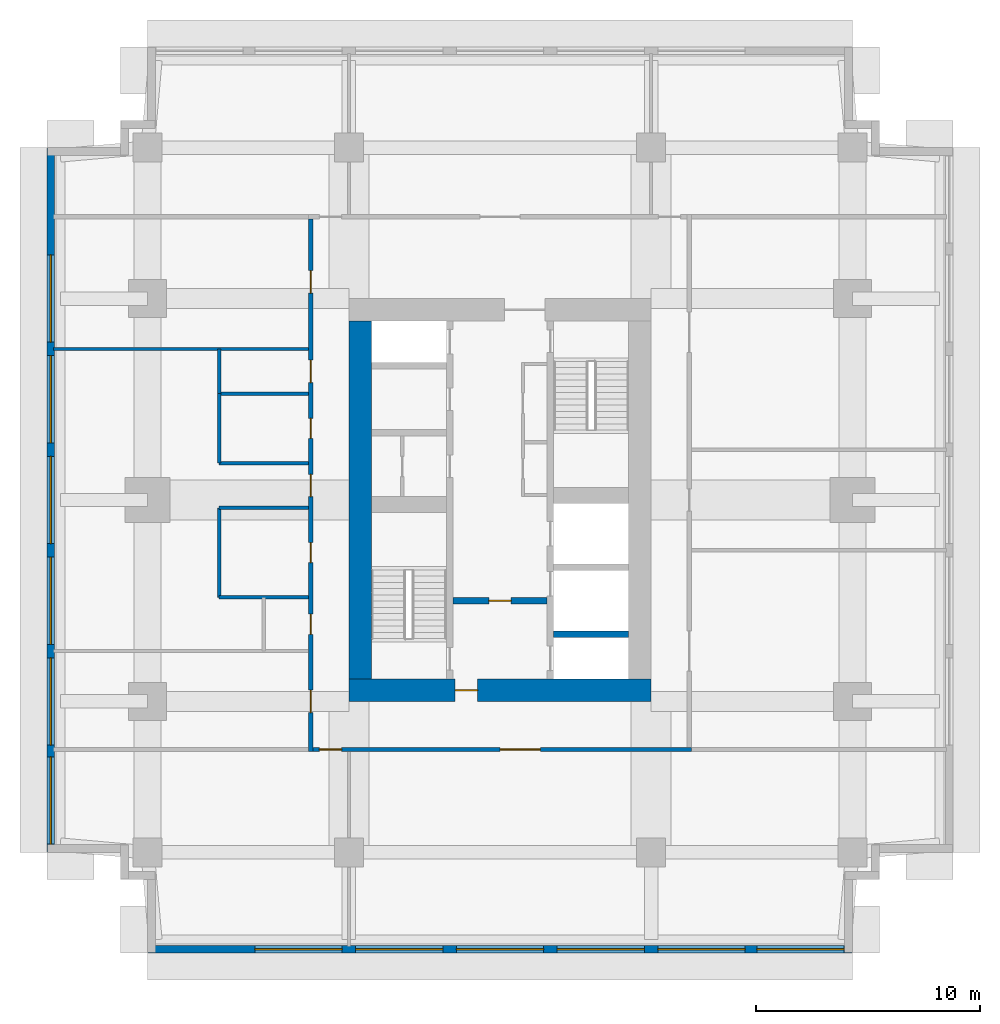
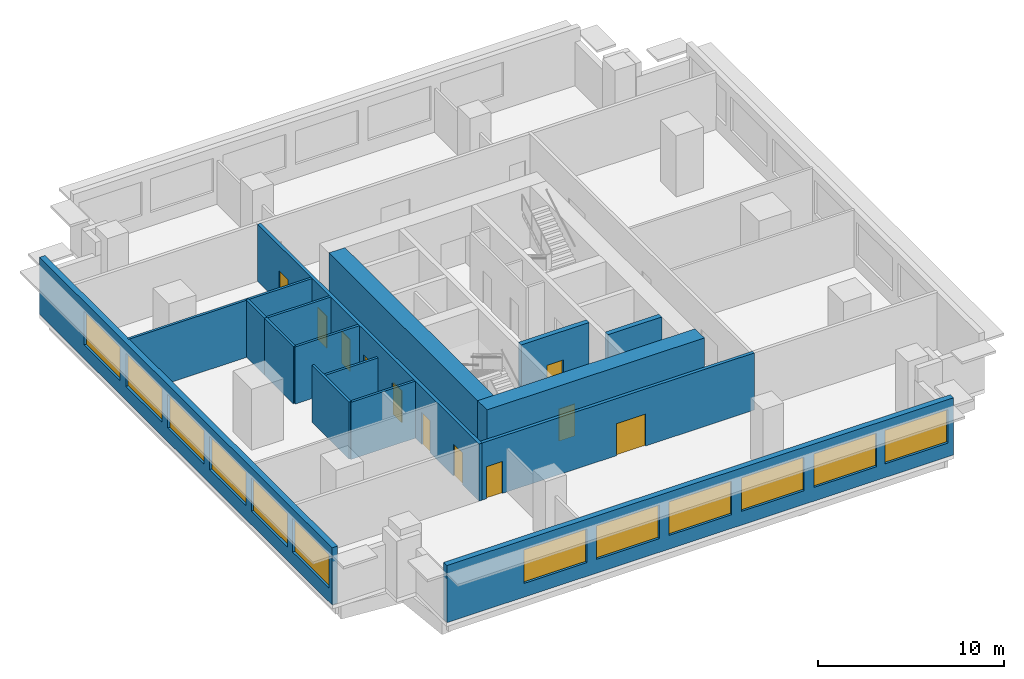
# One storey, part 2 of 5: 16 walls, 12 windows, 11 doors, 23 openings.
"""IFC4 building model written with IfcOpenShell, lengths in metres."""

import ifcopenshell
import ifcopenshell.guid

model = None  # the IFC model being written
_history = None  # IfcOwnerHistory: only IFC2X3 demands one
_inside = {}  # id of a spatial element -> (the spatial element, [elements in it])
_under = {}  # id of a project, library or spatial element -> (it, [spatial elements below it])
_declared = {}  # id of a project -> (the project, [libraries it declares])
_typed = {}  # id of a type object -> (the type object, [elements of that type])
_made_of = {}  # id of a material, layer set ... -> (it, [elements and type objects made of it])


def new_model(schema):
    """Start an empty IFC model of exactly this schema.

    Asked for "IFC4X3", IfcOpenShell would pick the latest addendum, in which some entities
    have other attributes; the version numbers below select the first issue.
    IFC2X3 requires an IfcOwnerHistory on every rooted entity: one is made here for all.
    """
    global model, _history
    if schema == "IFC4X3":
        model = ifcopenshell.file(schema_version=(4, 3, 0, 0))
    else:
        model = ifcopenshell.file(schema=schema)
    _inside.clear()
    _under.clear()
    _declared.clear()
    _typed.clear()
    _made_of.clear()
    _history = None
    if model.schema == "IFC2X3":
        org = make("IfcOrganization", Name="unknown")
        user = make(
            "IfcPersonAndOrganization",
            ThePerson=make("IfcPerson", FamilyName="unknown"),
            TheOrganization=org,
        )
        app = make(
            "IfcApplication",
            ApplicationDeveloper=org,
            Version="unknown",
            ApplicationFullName="unknown",
            ApplicationIdentifier="unknown",
        )
        _history = make(
            "IfcOwnerHistory",
            OwningUser=user,
            OwningApplication=app,
            ChangeAction="ADDED",
            CreationDate=0,
        )
    return model


def make(cls, **values):
    """One entity of the class cls with the attributes given. An attribute that is None is left unset."""
    return model.create_entity(
        cls, **{name: value for name, value in values.items() if value is not None}
    )


def rooted(cls, **values):
    """An entity with a GlobalId (a new one), such as an element, a storey or a relation."""
    return make(cls, GlobalId=ifcopenshell.guid.new(), OwnerHistory=_history, **values)


def si_unit(unit_type, name, prefix=None):
    """IfcSIUnit, for example si_unit("LENGTHUNIT", "METRE", prefix="MILLI")."""
    return make("IfcSIUnit", UnitType=unit_type, Prefix=prefix, Name=name)


def assignment(units):
    """IfcUnitAssignment: the units of a project."""
    return None if units is None else make("IfcUnitAssignment", Units=units)


def point(xyz):
    """IfcCartesianPoint."""
    return None if xyz is None else make("IfcCartesianPoint", Coordinates=xyz)


def direction(xyz):
    """IfcDirection."""
    return None if xyz is None else make("IfcDirection", DirectionRatios=xyz)


def frame(location, z_axis=None, x_axis=None):
    """IfcAxis2Placement3D, a coordinate frame: its origin and axes. An axis left out is left unset."""
    return make(
        "IfcAxis2Placement3D",
        Location=point(location),
        Axis=direction(z_axis),
        RefDirection=direction(x_axis),
    )


def frame_2d(location, x_axis=None):
    """IfcAxis2Placement2D, a coordinate frame in the plane: its origin and x axis."""
    return make(
        "IfcAxis2Placement2D", Location=point(location), RefDirection=direction(x_axis)
    )


def origin():
    """The frame at (0, 0, 0) with its axes left unset."""
    return frame((0.0, 0.0, 0.0))


def place(relative_to, where):
    """IfcLocalPlacement: puts the frame where relative to a parent placement (None: the world)."""
    return make(
        "IfcLocalPlacement", PlacementRelTo=relative_to, RelativePlacement=where
    )


def context(
    kind, dimensions, precision=None, world=None, true_north=None, identifier=None
):
    """IfcGeometricRepresentationContext, for example the 3D "Model" context."""
    return make(
        "IfcGeometricRepresentationContext",
        ContextIdentifier=identifier,
        ContextType=kind,
        CoordinateSpaceDimension=dimensions,
        Precision=precision,
        WorldCoordinateSystem=world,
        TrueNorth=true_north,
    )


def subcontext(parent, identifier, kind, view, scale=None):
    """IfcGeometricRepresentationSubContext, for example "Body" below "Model"."""
    return make(
        "IfcGeometricRepresentationSubContext",
        ContextIdentifier=identifier,
        ContextType=kind,
        ParentContext=parent,
        TargetScale=scale,
        TargetView=view,
    )


def project(units=None, contexts=None):
    """IfcProject with its units and contexts."""
    return rooted(
        "IfcProject",
        Name="project",
        RepresentationContexts=contexts,
        UnitsInContext=assignment(units),
    )


def spatial(cls, under=None, at=None, **own):
    """A site, building, storey or space (cls), placed at a placement, below another one or the project."""
    s = rooted(cls, ObjectPlacement=at, **own)
    if under is not None:
        _under.setdefault(under.id(), (under, []))[1].append(s)
    return s


def profile(cls, at=None, kind="AREA", **sizes):
    """A parametric profile (cls). Its sizes go by their IFC names, for example OverallWidth=200.0."""
    return make(cls, ProfileType=kind, Position=at, **sizes)


def rectangle(**sizes):
    """IfcRectangleProfileDef."""
    return profile("IfcRectangleProfileDef", **sizes)


def extrude(swept, where, along, depth):
    """IfcExtrudedAreaSolid: the profile swept, set in the frame where, extruded along a direction by depth."""
    return make(
        "IfcExtrudedAreaSolid",
        SweptArea=swept,
        Position=where,
        ExtrudedDirection=direction(along),
        Depth=depth,
    )


def shape(context_of_items, identifier, shape_type, items):
    """IfcShapeRepresentation: the items that make up one representation, for example the "Body"."""
    return make(
        "IfcShapeRepresentation",
        ContextOfItems=context_of_items,
        RepresentationIdentifier=identifier,
        RepresentationType=shape_type,
        Items=items,
    )


def material(Name=None, Category=None):
    """IfcMaterial."""
    return make("IfcMaterial", Name=Name, Category=Category)


def layer(
    of_material, thickness, ventilated=None, Name=None, Category=None, Priority=None
):
    """IfcMaterialLayer: one layer of a wall or slab, of a material (None: an air gap)."""
    return make(
        "IfcMaterialLayer",
        Material=of_material,
        LayerThickness=thickness,
        IsVentilated=ventilated,
        Name=Name,
        Category=Category,
        Priority=Priority,
    )


def layer_set(layers, Name=None):
    """IfcMaterialLayerSet."""
    return make("IfcMaterialLayerSet", MaterialLayers=layers, LayerSetName=Name)


def made_of(thing, what):
    """Note that an element or type object is made of a material, layer set ...; save() writes the relation."""
    if what is not None:
        _made_of.setdefault(what.id(), (what, []))[1].append(thing)
    return thing


def type_object(cls, material=None, **own):
    """A type object (cls), such as IfcWallType, which elements share."""
    return made_of(rooted(cls, **own), material)


def element(
    cls,
    number,
    at=None,
    inside=None,
    cuts=None,
    type_object=None,
    material=None,
    context=None,
    identifier="Body",
    shape_type=None,
    held_by="IfcProductDefinitionShape",
    body=None,
    shapes=None,
    **own,
):
    """One element of the class cls, such as IfcWall. Its Tag is "e" and its number.

    at: its placement. inside: the storey or other place that contains it. cuts: it is an
    opening in that element (IfcRelVoidsElement). A single representation is given by context,
    identifier, shape_type and body (its items); several are given by shapes. held_by: the class
    of the entity that holds the representations. save() writes the other relations.
    """
    e = rooted(cls, Tag="e%d" % number, ObjectPlacement=at, **own)
    if body is not None:
        shapes = [shape(context, identifier, shape_type, body)]
    if shapes is not None:
        e.Representation = make(held_by, Representations=shapes)
    if inside is not None:
        _inside.setdefault(inside.id(), (inside, []))[1].append(e)
    if cuts is not None:
        rooted(
            "IfcRelVoidsElement", RelatingBuildingElement=cuts, RelatedOpeningElement=e
        )
    if type_object is not None:
        _typed.setdefault(type_object.id(), (type_object, []))[1].append(e)
    return made_of(e, material)


def fill(opening, filler):
    """IfcRelFillsElement: the door or window that sits in an opening."""
    return rooted(
        "IfcRelFillsElement",
        RelatingOpeningElement=opening,
        RelatedBuildingElement=filler,
    )


def aggregate(whole, parts):
    """IfcRelAggregates: a whole, such as a stair, and the parts it consists of."""
    return rooted("IfcRelAggregates", RelatingObject=whole, RelatedObjects=parts)


def save(model, path):
    """Write the relations noted so far, then the file.

    IfcRelAggregates (storeys below a building ...), IfcRelContainedInSpatialStructure (elements
    in a storey), IfcRelDefinesByType, IfcRelAssociatesMaterial and IfcRelDeclares: one each for
    every whole, place, type object, material and project.
    """
    for whole, parts in _under.values():
        aggregate(whole, parts)
    for where, things in _inside.values():
        rooted(
            "IfcRelContainedInSpatialStructure",
            RelatedElements=things,
            RelatingStructure=where,
        )
    for kind, things in _typed.values():
        rooted("IfcRelDefinesByType", RelatedObjects=things, RelatingType=kind)
    for what, things in _made_of.values():
        rooted("IfcRelAssociatesMaterial", RelatedObjects=things, RelatingMaterial=what)
    for by, libraries in _declared.values():
        rooted("IfcRelDeclares", RelatingContext=by, RelatedDefinitions=libraries)
    model.write(path)


model = new_model("IFC4")

# Units and contexts
model_context = context("Model", 3, precision=1e-05, world=origin(), true_north=direction((0.0, 1.0)))
body_context = subcontext(model_context, "Body", "Model", "MODEL_VIEW")
ifc_project = project(units=[si_unit("LENGTHUNIT", "METRE"), si_unit("AREAUNIT", "SQUARE_METRE"), si_unit("VOLUMEUNIT", "CUBIC_METRE"), si_unit("PLANEANGLEUNIT", "RADIAN"), si_unit("MASSUNIT", "GRAM", prefix="KILO")], contexts=[model_context])

# Site, building, storey
site_placement = place(None, origin())
site = spatial("IfcSite", under=ifc_project, at=site_placement, CompositionType="ELEMENT")
building_placement = place(site_placement, origin())
building = spatial("IfcBuilding", under=site, at=building_placement, Name="Namib Vertical Campus", CompositionType="ELEMENT")
storey_placement = place(building_placement, frame((0.0, 0.0, 277.0)))
storey = spatial("IfcBuildingStorey", under=building, at=storey_placement, Name="L65", CompositionType="ELEMENT", Elevation=277.0)

# Wall, opening, door
ifc_material_1 = material(Name="Concrete C60/75", Category="concrete")
ifc_layer_1 = layer(ifc_material_1, 0.300048828125)
ifc_layer_set_1 = layer_set([ifc_layer_1], Name="Concrete C60/75")
wall_type_1 = type_object("IfcWallType", Name="Core inner wall 300", PredefinedType="SHEAR", material=ifc_layer_set_1)
wall_1_placement = place(storey_placement, frame((18.14990234375, 15.75, 0.0), z_axis=(0.0, 0.0, 1.0), x_axis=(1.0, 0.0, 0.0)))
wall_1 = element("IfcWall", 1, at=wall_1_placement, inside=storey, type_object=wall_type_1, Name="Core inner wall A L65 W4", PredefinedType="SHEAR", context=body_context, shape_type="SweptSolid", body=[
    extrude(rectangle(XDim=4.2001953125, YDim=0.300048828125, at=frame_2d((2.10009765625, 0.0))), origin(), (0.0, 0.0, 1.0), 4.0),
])
opening_1_placement = place(wall_1_placement, frame((1.60009765625, 0.0, 0.0)))
opening_1 = element("IfcOpeningElement", 2, at=opening_1_placement, cuts=wall_1, Name="Opening FD5", PredefinedType="OPENING", context=body_context, shape_type="SweptSolid", body=[
    extrude(rectangle(XDim=1.0, YDim=2.10009765625, at=frame_2d((0.5, 1.050048828125))), frame((0.0, 0.159912109375, 0.0), z_axis=(0.0, -1.0, 0.0), x_axis=(1.0, 0.0, 0.0)), (0.0, 0.0, 1.0), 0.320068359375),
])
ifc_material_2 = material(Name="Steel fire door", Category="steel")
door_type_1 = type_object("IfcDoorType", Name="Fire door 1000x2100 120 min", OperationType="SINGLE_SWING_RIGHT", PredefinedType="DOOR", material=ifc_material_2)
door_1_placement = place(opening_1_placement, frame((1.0, 0.0, 0.0), z_axis=(0.0, 0.0, 1.0), x_axis=(-1.0, 0.0, 0.0)))
door_1 = element("IfcDoor", 3, at=door_1_placement, inside=storey, type_object=door_type_1, Name="Lobby door FD5 A L65", OperationType="SINGLE_SWING_RIGHT", OverallHeight=2.10009765625, OverallWidth=1.0, PredefinedType="DOOR", context=body_context, shape_type="SweptSolid", body=[
    extrude(rectangle(XDim=1.0, YDim=2.10009765625, at=frame_2d((0.5, 1.050048828125))), frame((0.0, 0.02490234375, 0.0), z_axis=(0.0, -1.0, 0.0), x_axis=(1.0, 0.0, 0.0)), (0.0, 0.0, 1.0), 0.050048828125),
])
fill(opening_1, door_1)

# Wall
wall_2_placement = place(storey_placement, frame((22.64990234375, 14.25, 0.0), z_axis=(0.0, 0.0, 1.0), x_axis=(1.0, 0.0, 0.0)))
element("IfcWall", 4, at=wall_2_placement, inside=storey, type_object=wall_type_1, Name="Core inner wall A L65 W5", PredefinedType="SHEAR", context=body_context, shape_type="SweptSolid", body=[
    extrude(rectangle(XDim=3.35009765625, YDim=0.300048828125, at=frame_2d((1.675048828125, 0.0))), origin(), (0.0, 0.0, 1.0), 4.0),
])

# Wall, opening, door
ifc_material_3 = material(Name="Concrete C60/75", Category="concrete")
ifc_layer_2 = layer(ifc_material_3, 1.0)
ifc_layer_set_2 = layer_set([ifc_layer_2], Name="Concrete C60/75")
wall_type_2 = type_object("IfcWallType", Name="Core wall 1000", PredefinedType="SHEAR", material=ifc_layer_set_2)
wall_3_placement = place(storey_placement, frame((13.5, 11.75, 0.0), z_axis=(0.0, 0.0, 1.0), x_axis=(1.0, 0.0, 0.0)))
wall_3 = element("IfcWall", 5, at=wall_3_placement, inside=storey, type_object=wall_type_2, Name="Core wall A L65 1", PredefinedType="SHEAR", context=body_context, shape_type="SweptSolid", body=[
    extrude(rectangle(XDim=13.5, YDim=1.0, at=frame_2d((6.75, 0.0))), origin(), (0.0, 0.0, 1.0), 4.0),
])
opening_2_placement = place(wall_3_placement, frame((4.75, 0.0, 0.0)))
opening_2 = element("IfcOpeningElement", 6, at=opening_2_placement, cuts=wall_3, Name="Opening FD5", PredefinedType="OPENING", context=body_context, shape_type="SweptSolid", body=[
    extrude(rectangle(XDim=1.0, YDim=2.10009765625, at=frame_2d((0.5, 1.050048828125))), frame((0.0, 0.510009765625, 0.0), z_axis=(0.0, -1.0, 0.0), x_axis=(1.0, 0.0, 0.0)), (0.0, 0.0, 1.0), 1.02001953125),
])
door_2_placement = place(opening_2_placement, origin())
door_2 = element("IfcDoor", 7, at=door_2_placement, inside=storey, type_object=door_type_1, Name="Firefighting lobby door FD5 A L65", OperationType="SINGLE_SWING_LEFT", OverallHeight=2.10009765625, OverallWidth=1.0, PredefinedType="DOOR", context=body_context, shape_type="SweptSolid", body=[
    extrude(rectangle(XDim=1.0, YDim=2.10009765625, at=frame_2d((0.5, 1.050048828125))), frame((0.0, 0.02490234375, 0.0), z_axis=(0.0, -1.0, 0.0), x_axis=(1.0, 0.0, 0.0)), (0.0, 0.0, 1.0), 0.050048828125),
])
fill(opening_2, door_2)

# Wall
wall_4_placement = place(storey_placement, frame((14.0, 28.25, 0.0), z_axis=(0.0, 0.0, 1.0), x_axis=(0.0, -1.0, 0.0)))
element("IfcWall", 8, at=wall_4_placement, inside=storey, type_object=wall_type_2, Name="Core wall A L65 4", PredefinedType="SHEAR", context=body_context, shape_type="SweptSolid", body=[
    extrude(rectangle(XDim=16.0, YDim=1.0, at=frame_2d((8.0, 0.0))), origin(), (0.0, 0.0, 1.0), 4.0),
])

# Wall, openings, doors
ifc_material_4 = material(Name="Concrete masonry", Category="masonry")
ifc_layer_3 = layer(ifc_material_4, 0.199951171875)
ifc_layer_set_3 = layer_set([ifc_layer_3], Name="Corridor wall 200")
wall_type_3 = type_object("IfcWallType", Name="Corridor wall 200", PredefinedType="SOLIDWALL", material=ifc_layer_set_3)
wall_5_placement = place(storey_placement, frame((11.89990234375, 9.10009765625, 0.0), z_axis=(0.0, 0.0, 1.0), x_axis=(1.0, 0.0, 0.0)))
wall_5 = element("IfcWall", 9, at=wall_5_placement, inside=storey, type_object=wall_type_3, Name="Corridor wall A L65 CS", PredefinedType="SOLIDWALL", context=body_context, shape_type="SweptSolid", body=[
    extrude(rectangle(XDim=16.900146484375, YDim=0.199951171875, at=frame_2d((8.4501953125, 0.0))), origin(), (0.0, 0.0, 1.0), 3.75),
])
opening_3_placement = place(wall_5_placement, frame((0.27490234375, 0.0, 0.0)))
opening_3 = element("IfcOpeningElement", 10, at=opening_3_placement, cuts=wall_5, Name="Opening CD1", PredefinedType="OPENING", context=body_context, shape_type="SweptSolid", body=[
    extrude(rectangle(XDim=1.0, YDim=2.10009765625, at=frame_2d((0.5, 1.050048828125))), frame((0.0, 0.10986328125, 0.0), z_axis=(0.0, -1.0, 0.0), x_axis=(1.0, 0.0, 0.0)), (0.0, 0.0, 1.0), 0.219970703125),
])
opening_4_placement = place(wall_5_placement, frame((8.35009765625, 0.0, 0.0)))
opening_4 = element("IfcOpeningElement", 11, at=opening_4_placement, cuts=wall_5, Name="Opening CD2", PredefinedType="OPENING", context=body_context, shape_type="SweptSolid", body=[
    extrude(rectangle(XDim=1.800048828125, YDim=2.10009765625, at=frame_2d((0.89990234375, 1.050048828125))), frame((0.0, 0.10986328125, 0.0), z_axis=(0.0, -1.0, 0.0), x_axis=(1.0, 0.0, 0.0)), (0.0, 0.0, 1.0), 0.219970703125),
])
ifc_material_5 = material(Name="Timber fire door leaf", Category="wood")
door_type_2 = type_object("IfcDoorType", Name="Corridor door 1000x2100 20 min", OperationType="SINGLE_SWING_LEFT", PredefinedType="DOOR", material=ifc_material_5)
door_3_placement = place(opening_3_placement, frame((1.0, 0.0, 0.0), z_axis=(0.0, 0.0, 1.0), x_axis=(-1.0, 0.0, 0.0)))
door_3 = element("IfcDoor", 12, at=door_3_placement, inside=storey, type_object=door_type_2, Name="Door CD1 A65-01", OperationType="SINGLE_SWING_LEFT", OverallHeight=2.10009765625, OverallWidth=1.0, PredefinedType="DOOR", context=body_context, shape_type="SweptSolid", body=[
    extrude(rectangle(XDim=1.0, YDim=2.10009765625, at=frame_2d((0.5, 1.050048828125))), frame((0.0, 0.02490234375, 0.0), z_axis=(0.0, -1.0, 0.0), x_axis=(1.0, 0.0, 0.0)), (0.0, 0.0, 1.0), 0.050048828125),
])
fill(opening_3, door_3)
ifc_material_6 = material(Name="Timber fire door leaf", Category="wood")
door_type_3 = type_object("IfcDoorType", Name="Corridor door double 1800x2100 20 min", OperationType="DOUBLE_DOOR_SINGLE_SWING", PredefinedType="DOOR", material=ifc_material_6)
door_4_placement = place(opening_4_placement, frame((1.800048828125, 0.0, 0.0), z_axis=(0.0, 0.0, 1.0), x_axis=(-1.0, 0.0, 0.0)))
door_4 = element("IfcDoor", 13, at=door_4_placement, inside=storey, type_object=door_type_3, Name="Door CD2 A65-02", OperationType="DOUBLE_DOOR_SINGLE_SWING", OverallHeight=2.10009765625, OverallWidth=1.800048828125, PredefinedType="DOOR", context=body_context, shape_type="SweptSolid", body=[
    extrude(rectangle(XDim=1.800048828125, YDim=2.10009765625, at=frame_2d((0.89990234375, 1.050048828125))), frame((0.0, 0.02490234375, 0.0), z_axis=(0.0, -1.0, 0.0), x_axis=(1.0, 0.0, 0.0)), (0.0, 0.0, 1.0), 0.050048828125),
])
fill(opening_4, door_4)

wall_6_placement = place(storey_placement, frame((11.800048828125, 32.800048828125, 0.0), z_axis=(0.0, 0.0, 1.0), x_axis=(0.0, -1.0, 0.0)))
wall_6 = element("IfcWall", 14, at=wall_6_placement, inside=storey, type_object=wall_type_3, Name="Corridor wall A L65 CW", PredefinedType="SOLIDWALL", context=body_context, shape_type="SweptSolid", body=[
    extrude(rectangle(XDim=23.800048828125, YDim=0.199951171875, at=frame_2d((11.89990234375, 0.0))), origin(), (0.0, 0.0, 1.0), 3.75),
])
opening_5_placement = place(wall_6_placement, frame((21.050048828125, 0.0, 0.0)))
opening_5 = element("IfcOpeningElement", 15, at=opening_5_placement, cuts=wall_6, Name="Opening CD1", PredefinedType="OPENING", context=body_context, shape_type="SweptSolid", body=[
    extrude(rectangle(XDim=1.0, YDim=2.10009765625, at=frame_2d((0.5, 1.050048828125))), frame((0.0, 0.10986328125, 0.0), z_axis=(0.0, -1.0, 0.0), x_axis=(1.0, 0.0, 0.0)), (0.0, 0.0, 1.0), 0.219970703125),
])
opening_6_placement = place(wall_6_placement, frame((17.64990234375, 0.0, 0.0)))
opening_6 = element("IfcOpeningElement", 16, at=opening_6_placement, cuts=wall_6, Name="Opening CD3", PredefinedType="OPENING", context=body_context, shape_type="SweptSolid", body=[
    extrude(rectangle(XDim=0.89990234375, YDim=2.10009765625, at=frame_2d((0.449951171875, 1.050048828125))), frame((0.0, 0.10986328125, 0.0), z_axis=(0.0, -1.0, 0.0), x_axis=(1.0, 0.0, 0.0)), (0.0, 0.0, 1.0), 0.219970703125),
])
opening_7_placement = place(wall_6_placement, frame((14.449951171875, 0.0, 0.0)))
opening_7 = element("IfcOpeningElement", 17, at=opening_7_placement, cuts=wall_6, Name="Opening CD3", PredefinedType="OPENING", context=body_context, shape_type="SweptSolid", body=[
    extrude(rectangle(XDim=0.89990234375, YDim=2.10009765625, at=frame_2d((0.449951171875, 1.050048828125))), frame((0.0, 0.10986328125, 0.0), z_axis=(0.0, -1.0, 0.0), x_axis=(1.0, 0.0, 0.0)), (0.0, 0.0, 1.0), 0.219970703125),
])
opening_8_placement = place(wall_6_placement, frame((8.89990234375, 0.0, 0.0)))
opening_8 = element("IfcOpeningElement", 18, at=opening_8_placement, cuts=wall_6, Name="Opening CD3", PredefinedType="OPENING", context=body_context, shape_type="SweptSolid", body=[
    extrude(rectangle(XDim=0.89990234375, YDim=2.10009765625, at=frame_2d((0.449951171875, 1.050048828125))), frame((0.0, 0.10986328125, 0.0), z_axis=(0.0, -1.0, 0.0), x_axis=(1.0, 0.0, 0.0)), (0.0, 0.0, 1.0), 0.219970703125),
])
opening_9_placement = place(wall_6_placement, frame((6.300048828125, 0.0, 0.0)))
opening_9 = element("IfcOpeningElement", 19, at=opening_9_placement, cuts=wall_6, Name="Opening CD1", PredefinedType="OPENING", context=body_context, shape_type="SweptSolid", body=[
    extrude(rectangle(XDim=1.0, YDim=2.10009765625, at=frame_2d((0.5, 1.050048828125))), frame((0.0, 0.10986328125, 0.0), z_axis=(0.0, -1.0, 0.0), x_axis=(1.0, 0.0, 0.0)), (0.0, 0.0, 1.0), 0.219970703125),
])
opening_10_placement = place(wall_6_placement, frame((11.39990234375, 0.0, 0.0)))
opening_10 = element("IfcOpeningElement", 20, at=opening_10_placement, cuts=wall_6, Name="Opening CD1", PredefinedType="OPENING", context=body_context, shape_type="SweptSolid", body=[
    extrude(rectangle(XDim=1.0, YDim=2.10009765625, at=frame_2d((0.5, 1.050048828125))), frame((0.0, 0.10986328125, 0.0), z_axis=(0.0, -1.0, 0.0), x_axis=(1.0, 0.0, 0.0)), (0.0, 0.0, 1.0), 0.219970703125),
])
opening_11_placement = place(wall_6_placement, frame((2.300048828125, 0.0, 0.0)))
opening_11 = element("IfcOpeningElement", 21, at=opening_11_placement, cuts=wall_6, Name="Opening CD1", PredefinedType="OPENING", context=body_context, shape_type="SweptSolid", body=[
    extrude(rectangle(XDim=1.0, YDim=2.10009765625, at=frame_2d((0.5, 1.050048828125))), frame((0.0, 0.10986328125, 0.0), z_axis=(0.0, -1.0, 0.0), x_axis=(1.0, 0.0, 0.0)), (0.0, 0.0, 1.0), 0.219970703125),
])
door_5_placement = place(opening_5_placement, frame((1.0, 0.0, 0.0), z_axis=(0.0, 0.0, 1.0), x_axis=(-1.0, 0.0, 0.0)))
door_5 = element("IfcDoor", 22, at=door_5_placement, inside=storey, type_object=door_type_2, Name="Door CD1 A65-09", OperationType="SINGLE_SWING_RIGHT", OverallHeight=2.10009765625, OverallWidth=1.0, PredefinedType="DOOR", context=body_context, shape_type="SweptSolid", body=[
    extrude(rectangle(XDim=1.0, YDim=2.10009765625, at=frame_2d((0.5, 1.050048828125))), frame((0.0, 0.02490234375, 0.0), z_axis=(0.0, -1.0, 0.0), x_axis=(1.0, 0.0, 0.0)), (0.0, 0.0, 1.0), 0.050048828125),
])
fill(opening_5, door_5)
door_6_placement = place(opening_9_placement, frame((1.0, 0.0, 0.0), z_axis=(0.0, 0.0, 1.0), x_axis=(-1.0, 0.0, 0.0)))
door_6 = element("IfcDoor", 23, at=door_6_placement, inside=storey, type_object=door_type_2, Name="Door CD1 A65-13", OperationType="SINGLE_SWING_RIGHT", OverallHeight=2.10009765625, OverallWidth=1.0, PredefinedType="DOOR", context=body_context, shape_type="SweptSolid", body=[
    extrude(rectangle(XDim=1.0, YDim=2.10009765625, at=frame_2d((0.5, 1.050048828125))), frame((0.0, 0.02490234375, 0.0), z_axis=(0.0, -1.0, 0.0), x_axis=(1.0, 0.0, 0.0)), (0.0, 0.0, 1.0), 0.050048828125),
])
fill(opening_9, door_6)
door_7_placement = place(opening_10_placement, frame((1.0, 0.0, 0.0), z_axis=(0.0, 0.0, 1.0), x_axis=(-1.0, 0.0, 0.0)))
door_7 = element("IfcDoor", 24, at=door_7_placement, inside=storey, type_object=door_type_2, Name="Door CD1 A65-14", OperationType="SINGLE_SWING_RIGHT", OverallHeight=2.10009765625, OverallWidth=1.0, PredefinedType="DOOR", context=body_context, shape_type="SweptSolid", body=[
    extrude(rectangle(XDim=1.0, YDim=2.10009765625, at=frame_2d((0.5, 1.050048828125))), frame((0.0, 0.02490234375, 0.0), z_axis=(0.0, -1.0, 0.0), x_axis=(1.0, 0.0, 0.0)), (0.0, 0.0, 1.0), 0.050048828125),
])
fill(opening_10, door_7)
door_8_placement = place(opening_11_placement, frame((1.0, 0.0, 0.0), z_axis=(0.0, 0.0, 1.0), x_axis=(-1.0, 0.0, 0.0)))
door_8 = element("IfcDoor", 25, at=door_8_placement, inside=storey, type_object=door_type_2, Name="Door CD1 A65-15", OperationType="SINGLE_SWING_RIGHT", OverallHeight=2.10009765625, OverallWidth=1.0, PredefinedType="DOOR", context=body_context, shape_type="SweptSolid", body=[
    extrude(rectangle(XDim=1.0, YDim=2.10009765625, at=frame_2d((0.5, 1.050048828125))), frame((0.0, 0.02490234375, 0.0), z_axis=(0.0, -1.0, 0.0), x_axis=(1.0, 0.0, 0.0)), (0.0, 0.0, 1.0), 0.050048828125),
])
fill(opening_11, door_8)
ifc_material_7 = material(Name="Timber fire door leaf", Category="wood")
door_type_4 = type_object("IfcDoorType", Name="Corridor toilet door 900x2100 20 min", OperationType="SINGLE_SWING_LEFT", PredefinedType="DOOR", material=ifc_material_7)
door_9_placement = place(opening_6_placement, frame((0.89990234375, 0.0, 0.0), z_axis=(0.0, 0.0, 1.0), x_axis=(-1.0, 0.0, 0.0)))
door_9 = element("IfcDoor", 26, at=door_9_placement, inside=storey, type_object=door_type_4, Name="Door CD3 A65-10", OperationType="SINGLE_SWING_RIGHT", OverallHeight=2.10009765625, OverallWidth=0.89990234375, PredefinedType="DOOR", context=body_context, shape_type="SweptSolid", body=[
    extrude(rectangle(XDim=0.89990234375, YDim=2.10009765625, at=frame_2d((0.449951171875, 1.050048828125))), frame((0.0, 0.02490234375, 0.0), z_axis=(0.0, -1.0, 0.0), x_axis=(1.0, 0.0, 0.0)), (0.0, 0.0, 1.0), 0.050048828125),
])
fill(opening_6, door_9)
door_10_placement = place(opening_7_placement, frame((0.89990234375, 0.0, 0.0), z_axis=(0.0, 0.0, 1.0), x_axis=(-1.0, 0.0, 0.0)))
door_10 = element("IfcDoor", 27, at=door_10_placement, inside=storey, type_object=door_type_4, Name="Door CD3 A65-11", OperationType="SINGLE_SWING_RIGHT", OverallHeight=2.10009765625, OverallWidth=0.89990234375, PredefinedType="DOOR", context=body_context, shape_type="SweptSolid", body=[
    extrude(rectangle(XDim=0.89990234375, YDim=2.10009765625, at=frame_2d((0.449951171875, 1.050048828125))), frame((0.0, 0.02490234375, 0.0), z_axis=(0.0, -1.0, 0.0), x_axis=(1.0, 0.0, 0.0)), (0.0, 0.0, 1.0), 0.050048828125),
])
fill(opening_7, door_10)
door_11_placement = place(opening_8_placement, frame((0.89990234375, 0.0, 0.0), z_axis=(0.0, 0.0, 1.0), x_axis=(-1.0, 0.0, 0.0)))
door_11 = element("IfcDoor", 28, at=door_11_placement, inside=storey, type_object=door_type_4, Name="Door CD3 A65-12", OperationType="SINGLE_SWING_RIGHT", OverallHeight=2.10009765625, OverallWidth=0.89990234375, PredefinedType="DOOR", context=body_context, shape_type="SweptSolid", body=[
    extrude(rectangle(XDim=0.89990234375, YDim=2.10009765625, at=frame_2d((0.449951171875, 1.050048828125))), frame((0.0, 0.02490234375, 0.0), z_axis=(0.0, -1.0, 0.0), x_axis=(1.0, 0.0, 0.0)), (0.0, 0.0, 1.0), 0.050048828125),
])
fill(opening_8, door_11)

# Wall, openings, windows
ifc_material_8 = material(Name="Concrete C40/50", Category="concrete")
ifc_layer_4 = layer(ifc_material_8, 0.35009765625)
ifc_layer_set_4 = layer_set([ifc_layer_4], Name="Concrete C40/50")
wall_type_4 = type_object("IfcWallType", Name="External wall 350 bush-hammered concrete", PredefinedType="STANDARD", material=ifc_layer_set_4)
wall_7_placement = place(storey_placement, frame((4.52001953125, 0.175048828125, 0.0), z_axis=(0.0, 0.0, 1.0), x_axis=(1.0, 0.0, 0.0)))
wall_7 = element("IfcWall", 29, at=wall_7_placement, inside=storey, type_object=wall_type_4, Name="External wall L65 F01", PredefinedType="STANDARD", context=body_context, shape_type="SweptSolid", body=[
    extrude(rectangle(XDim=31.4599609375, YDim=0.35009765625, at=frame_2d((15.72998046875, 0.0))), origin(), (0.0, 0.0, 1.0), 3.75),
])
opening_12_placement = place(wall_7_placement, frame((4.780029296875, 0.0, 0.89990234375)))
opening_12 = element("IfcOpeningElement", 30, at=opening_12_placement, cuts=wall_7, Name="Opening W1", PredefinedType="OPENING", context=body_context, shape_type="SweptSolid", body=[
    extrude(rectangle(XDim=3.89990234375, YDim=2.199951171875, at=frame_2d((1.949951171875, 1.10009765625))), frame((0.0, 0.18505859375, 0.0), z_axis=(0.0, -1.0, 0.0), x_axis=(1.0, 0.0, 0.0)), (0.0, 0.0, 1.0), 0.3701171875),
])
opening_13_placement = place(wall_7_placement, frame((9.280029296875, 0.0, 0.89990234375)))
opening_13 = element("IfcOpeningElement", 31, at=opening_13_placement, cuts=wall_7, Name="Opening W1", PredefinedType="OPENING", context=body_context, shape_type="SweptSolid", body=[
    extrude(rectangle(XDim=3.89990234375, YDim=2.199951171875, at=frame_2d((1.949951171875, 1.10009765625))), frame((0.0, 0.18505859375, 0.0), z_axis=(0.0, -1.0, 0.0), x_axis=(1.0, 0.0, 0.0)), (0.0, 0.0, 1.0), 0.3701171875),
])
opening_14_placement = place(wall_7_placement, frame((13.780029296875, 0.0, 0.89990234375)))
opening_14 = element("IfcOpeningElement", 32, at=opening_14_placement, cuts=wall_7, Name="Opening W1", PredefinedType="OPENING", context=body_context, shape_type="SweptSolid", body=[
    extrude(rectangle(XDim=3.89990234375, YDim=2.199951171875, at=frame_2d((1.949951171875, 1.10009765625))), frame((0.0, 0.18505859375, 0.0), z_axis=(0.0, -1.0, 0.0), x_axis=(1.0, 0.0, 0.0)), (0.0, 0.0, 1.0), 0.3701171875),
])
opening_15_placement = place(wall_7_placement, frame((18.280029296875, 0.0, 0.89990234375)))
opening_15 = element("IfcOpeningElement", 33, at=opening_15_placement, cuts=wall_7, Name="Opening W1", PredefinedType="OPENING", context=body_context, shape_type="SweptSolid", body=[
    extrude(rectangle(XDim=3.89990234375, YDim=2.199951171875, at=frame_2d((1.949951171875, 1.10009765625))), frame((0.0, 0.18505859375, 0.0), z_axis=(0.0, -1.0, 0.0), x_axis=(1.0, 0.0, 0.0)), (0.0, 0.0, 1.0), 0.3701171875),
])
opening_16_placement = place(wall_7_placement, frame((22.780029296875, 0.0, 0.89990234375)))
opening_16 = element("IfcOpeningElement", 34, at=opening_16_placement, cuts=wall_7, Name="Opening W1", PredefinedType="OPENING", context=body_context, shape_type="SweptSolid", body=[
    extrude(rectangle(XDim=3.89990234375, YDim=2.199951171875, at=frame_2d((1.949951171875, 1.10009765625))), frame((0.0, 0.18505859375, 0.0), z_axis=(0.0, -1.0, 0.0), x_axis=(1.0, 0.0, 0.0)), (0.0, 0.0, 1.0), 0.3701171875),
])
opening_17_placement = place(wall_7_placement, frame((27.2099609375, 0.0, 0.89990234375)))
opening_17 = element("IfcOpeningElement", 35, at=opening_17_placement, cuts=wall_7, Name="Opening W1", PredefinedType="OPENING", context=body_context, shape_type="SweptSolid", body=[
    extrude(rectangle(XDim=3.89990234375, YDim=2.199951171875, at=frame_2d((1.949951171875, 1.10009765625))), frame((0.0, 0.18505859375, 0.0), z_axis=(0.0, -1.0, 0.0), x_axis=(1.0, 0.0, 0.0)), (0.0, 0.0, 1.0), 0.3701171875),
])
ifc_material_9 = material(Name="Dark tinted glass in black aluminium frame", Category="aluminium")
window_type = type_object("IfcWindowType", Name="Ribbon window 3900x2200", PartitioningType="SINGLE_PANEL", PredefinedType="WINDOW", material=ifc_material_9)
window_1_placement = place(opening_12_placement, origin())
window_1 = element("IfcWindow", 36, at=window_1_placement, inside=storey, type_object=window_type, Name="Window W1 L65 F01-2", OverallHeight=2.199951171875, OverallWidth=3.89990234375, PartitioningType="SINGLE_PANEL", PredefinedType="WINDOW", context=body_context, shape_type="SweptSolid", body=[
    extrude(rectangle(XDim=3.89990234375, YDim=2.199951171875, at=frame_2d((1.949951171875, 1.10009765625))), frame((0.0, 0.030029296875, 0.0), z_axis=(0.0, -1.0, 0.0), x_axis=(1.0, 0.0, 0.0)), (0.0, 0.0, 1.0), 0.06005859375),
])
fill(opening_12, window_1)
window_2_placement = place(opening_13_placement, origin())
window_2 = element("IfcWindow", 37, at=window_2_placement, inside=storey, type_object=window_type, Name="Window W1 L65 F01-3", OverallHeight=2.199951171875, OverallWidth=3.89990234375, PartitioningType="SINGLE_PANEL", PredefinedType="WINDOW", context=body_context, shape_type="SweptSolid", body=[
    extrude(rectangle(XDim=3.89990234375, YDim=2.199951171875, at=frame_2d((1.949951171875, 1.10009765625))), frame((0.0, 0.030029296875, 0.0), z_axis=(0.0, -1.0, 0.0), x_axis=(1.0, 0.0, 0.0)), (0.0, 0.0, 1.0), 0.06005859375),
])
fill(opening_13, window_2)
window_3_placement = place(opening_14_placement, origin())
window_3 = element("IfcWindow", 38, at=window_3_placement, inside=storey, type_object=window_type, Name="Window W1 L65 F01-4", OverallHeight=2.199951171875, OverallWidth=3.89990234375, PartitioningType="SINGLE_PANEL", PredefinedType="WINDOW", context=body_context, shape_type="SweptSolid", body=[
    extrude(rectangle(XDim=3.89990234375, YDim=2.199951171875, at=frame_2d((1.949951171875, 1.10009765625))), frame((0.0, 0.030029296875, 0.0), z_axis=(0.0, -1.0, 0.0), x_axis=(1.0, 0.0, 0.0)), (0.0, 0.0, 1.0), 0.06005859375),
])
fill(opening_14, window_3)
window_4_placement = place(opening_15_placement, origin())
window_4 = element("IfcWindow", 39, at=window_4_placement, inside=storey, type_object=window_type, Name="Window W1 L65 F01-5", OverallHeight=2.199951171875, OverallWidth=3.89990234375, PartitioningType="SINGLE_PANEL", PredefinedType="WINDOW", context=body_context, shape_type="SweptSolid", body=[
    extrude(rectangle(XDim=3.89990234375, YDim=2.199951171875, at=frame_2d((1.949951171875, 1.10009765625))), frame((0.0, 0.030029296875, 0.0), z_axis=(0.0, -1.0, 0.0), x_axis=(1.0, 0.0, 0.0)), (0.0, 0.0, 1.0), 0.06005859375),
])
fill(opening_15, window_4)
window_5_placement = place(opening_16_placement, origin())
window_5 = element("IfcWindow", 40, at=window_5_placement, inside=storey, type_object=window_type, Name="Window W1 L65 F01-6", OverallHeight=2.199951171875, OverallWidth=3.89990234375, PartitioningType="SINGLE_PANEL", PredefinedType="WINDOW", context=body_context, shape_type="SweptSolid", body=[
    extrude(rectangle(XDim=3.89990234375, YDim=2.199951171875, at=frame_2d((1.949951171875, 1.10009765625))), frame((0.0, 0.030029296875, 0.0), z_axis=(0.0, -1.0, 0.0), x_axis=(1.0, 0.0, 0.0)), (0.0, 0.0, 1.0), 0.06005859375),
])
fill(opening_16, window_5)
window_6_placement = place(opening_17_placement, origin())
window_6 = element("IfcWindow", 41, at=window_6_placement, inside=storey, type_object=window_type, Name="Window W1 L65 F01-7", OverallHeight=2.199951171875, OverallWidth=3.89990234375, PartitioningType="SINGLE_PANEL", PredefinedType="WINDOW", context=body_context, shape_type="SweptSolid", body=[
    extrude(rectangle(XDim=3.89990234375, YDim=2.199951171875, at=frame_2d((1.949951171875, 1.10009765625))), frame((0.0, 0.030029296875, 0.0), z_axis=(0.0, -1.0, 0.0), x_axis=(1.0, 0.0, 0.0)), (0.0, 0.0, 1.0), 0.06005859375),
])
fill(opening_17, window_6)

wall_8_placement = place(storey_placement, frame((0.175048828125, 35.97998046875, 0.0), z_axis=(0.0, 0.0, 1.0), x_axis=(0.0, -1.0, 0.0)))
wall_8 = element("IfcWall", 42, at=wall_8_placement, inside=storey, type_object=wall_type_4, Name="External wall L65 F16", PredefinedType="STANDARD", context=body_context, shape_type="SweptSolid", body=[
    extrude(rectangle(XDim=31.4599609375, YDim=0.35009765625, at=frame_2d((15.72998046875, 0.0))), origin(), (0.0, 0.0, 1.0), 3.75),
])
opening_18_placement = place(wall_8_placement, frame((27.2099609375, 0.0, 0.89990234375)))
opening_18 = element("IfcOpeningElement", 43, at=opening_18_placement, cuts=wall_8, Name="Opening W1", PredefinedType="OPENING", context=body_context, shape_type="SweptSolid", body=[
    extrude(rectangle(XDim=3.89990234375, YDim=2.199951171875, at=frame_2d((1.949951171875, 1.10009765625))), frame((0.0, 0.18505859375, 0.0), z_axis=(0.0, -1.0, 0.0), x_axis=(1.0, 0.0, 0.0)), (0.0, 0.0, 1.0), 0.3701171875),
])
opening_19_placement = place(wall_8_placement, frame((22.780029296875, 0.0, 0.89990234375)))
opening_19 = element("IfcOpeningElement", 44, at=opening_19_placement, cuts=wall_8, Name="Opening W1", PredefinedType="OPENING", context=body_context, shape_type="SweptSolid", body=[
    extrude(rectangle(XDim=3.89990234375, YDim=2.199951171875, at=frame_2d((1.949951171875, 1.10009765625))), frame((0.0, 0.18505859375, 0.0), z_axis=(0.0, -1.0, 0.0), x_axis=(1.0, 0.0, 0.0)), (0.0, 0.0, 1.0), 0.3701171875),
])
opening_20_placement = place(wall_8_placement, frame((18.280029296875, 0.0, 0.89990234375)))
opening_20 = element("IfcOpeningElement", 45, at=opening_20_placement, cuts=wall_8, Name="Opening W1", PredefinedType="OPENING", context=body_context, shape_type="SweptSolid", body=[
    extrude(rectangle(XDim=3.89990234375, YDim=2.199951171875, at=frame_2d((1.949951171875, 1.10009765625))), frame((0.0, 0.18505859375, 0.0), z_axis=(0.0, -1.0, 0.0), x_axis=(1.0, 0.0, 0.0)), (0.0, 0.0, 1.0), 0.3701171875),
])
opening_21_placement = place(wall_8_placement, frame((13.780029296875, 0.0, 0.89990234375)))
opening_21 = element("IfcOpeningElement", 46, at=opening_21_placement, cuts=wall_8, Name="Opening W1", PredefinedType="OPENING", context=body_context, shape_type="SweptSolid", body=[
    extrude(rectangle(XDim=3.89990234375, YDim=2.199951171875, at=frame_2d((1.949951171875, 1.10009765625))), frame((0.0, 0.18505859375, 0.0), z_axis=(0.0, -1.0, 0.0), x_axis=(1.0, 0.0, 0.0)), (0.0, 0.0, 1.0), 0.3701171875),
])
opening_22_placement = place(wall_8_placement, frame((9.280029296875, 0.0, 0.89990234375)))
opening_22 = element("IfcOpeningElement", 47, at=opening_22_placement, cuts=wall_8, Name="Opening W1", PredefinedType="OPENING", context=body_context, shape_type="SweptSolid", body=[
    extrude(rectangle(XDim=3.89990234375, YDim=2.199951171875, at=frame_2d((1.949951171875, 1.10009765625))), frame((0.0, 0.18505859375, 0.0), z_axis=(0.0, -1.0, 0.0), x_axis=(1.0, 0.0, 0.0)), (0.0, 0.0, 1.0), 0.3701171875),
])
opening_23_placement = place(wall_8_placement, frame((4.780029296875, 0.0, 0.89990234375)))
opening_23 = element("IfcOpeningElement", 48, at=opening_23_placement, cuts=wall_8, Name="Opening W1", PredefinedType="OPENING", context=body_context, shape_type="SweptSolid", body=[
    extrude(rectangle(XDim=3.89990234375, YDim=2.199951171875, at=frame_2d((1.949951171875, 1.10009765625))), frame((0.0, 0.18505859375, 0.0), z_axis=(0.0, -1.0, 0.0), x_axis=(1.0, 0.0, 0.0)), (0.0, 0.0, 1.0), 0.3701171875),
])
window_7_placement = place(opening_18_placement, origin())
window_7 = element("IfcWindow", 49, at=window_7_placement, inside=storey, type_object=window_type, Name="Window W1 L65 F16-1", OverallHeight=2.199951171875, OverallWidth=3.89990234375, PartitioningType="SINGLE_PANEL", PredefinedType="WINDOW", context=body_context, shape_type="SweptSolid", body=[
    extrude(rectangle(XDim=3.89990234375, YDim=2.199951171875, at=frame_2d((1.949951171875, 1.10009765625))), frame((0.0, 0.030029296875, 0.0), z_axis=(0.0, -1.0, 0.0), x_axis=(1.0, 0.0, 0.0)), (0.0, 0.0, 1.0), 0.06005859375),
])
fill(opening_18, window_7)
window_8_placement = place(opening_19_placement, origin())
window_8 = element("IfcWindow", 50, at=window_8_placement, inside=storey, type_object=window_type, Name="Window W1 L65 F16-2", OverallHeight=2.199951171875, OverallWidth=3.89990234375, PartitioningType="SINGLE_PANEL", PredefinedType="WINDOW", context=body_context, shape_type="SweptSolid", body=[
    extrude(rectangle(XDim=3.89990234375, YDim=2.199951171875, at=frame_2d((1.949951171875, 1.10009765625))), frame((0.0, 0.030029296875, 0.0), z_axis=(0.0, -1.0, 0.0), x_axis=(1.0, 0.0, 0.0)), (0.0, 0.0, 1.0), 0.06005859375),
])
fill(opening_19, window_8)
window_9_placement = place(opening_20_placement, origin())
window_9 = element("IfcWindow", 51, at=window_9_placement, inside=storey, type_object=window_type, Name="Window W1 L65 F16-3", OverallHeight=2.199951171875, OverallWidth=3.89990234375, PartitioningType="SINGLE_PANEL", PredefinedType="WINDOW", context=body_context, shape_type="SweptSolid", body=[
    extrude(rectangle(XDim=3.89990234375, YDim=2.199951171875, at=frame_2d((1.949951171875, 1.10009765625))), frame((0.0, 0.030029296875, 0.0), z_axis=(0.0, -1.0, 0.0), x_axis=(1.0, 0.0, 0.0)), (0.0, 0.0, 1.0), 0.06005859375),
])
fill(opening_20, window_9)
window_10_placement = place(opening_21_placement, origin())
window_10 = element("IfcWindow", 52, at=window_10_placement, inside=storey, type_object=window_type, Name="Window W1 L65 F16-4", OverallHeight=2.199951171875, OverallWidth=3.89990234375, PartitioningType="SINGLE_PANEL", PredefinedType="WINDOW", context=body_context, shape_type="SweptSolid", body=[
    extrude(rectangle(XDim=3.89990234375, YDim=2.199951171875, at=frame_2d((1.949951171875, 1.10009765625))), frame((0.0, 0.030029296875, 0.0), z_axis=(0.0, -1.0, 0.0), x_axis=(1.0, 0.0, 0.0)), (0.0, 0.0, 1.0), 0.06005859375),
])
fill(opening_21, window_10)
window_11_placement = place(opening_22_placement, origin())
window_11 = element("IfcWindow", 53, at=window_11_placement, inside=storey, type_object=window_type, Name="Window W1 L65 F16-5", OverallHeight=2.199951171875, OverallWidth=3.89990234375, PartitioningType="SINGLE_PANEL", PredefinedType="WINDOW", context=body_context, shape_type="SweptSolid", body=[
    extrude(rectangle(XDim=3.89990234375, YDim=2.199951171875, at=frame_2d((1.949951171875, 1.10009765625))), frame((0.0, 0.030029296875, 0.0), z_axis=(0.0, -1.0, 0.0), x_axis=(1.0, 0.0, 0.0)), (0.0, 0.0, 1.0), 0.06005859375),
])
fill(opening_22, window_11)
window_12_placement = place(opening_23_placement, origin())
window_12 = element("IfcWindow", 54, at=window_12_placement, inside=storey, type_object=window_type, Name="Window W1 L65 F16-6", OverallHeight=2.199951171875, OverallWidth=3.89990234375, PartitioningType="SINGLE_PANEL", PredefinedType="WINDOW", context=body_context, shape_type="SweptSolid", body=[
    extrude(rectangle(XDim=3.89990234375, YDim=2.199951171875, at=frame_2d((1.949951171875, 1.10009765625))), frame((0.0, 0.030029296875, 0.0), z_axis=(0.0, -1.0, 0.0), x_axis=(1.0, 0.0, 0.0)), (0.0, 0.0, 1.0), 0.06005859375),
])
fill(opening_23, window_12)

# Walls
ifc_material_10 = material(Name="Gypsum board on steel studs", Category="steel")
ifc_layer_5 = layer(ifc_material_10, 0.14990234375)
ifc_layer_set_5 = layer_set([ifc_layer_5], Name="Gypsum board on steel studs")
wall_type_5 = type_object("IfcWallType", Name="Partition 150", PredefinedType="PARTITIONING", material=ifc_layer_set_5)
wall_9_placement = place(storey_placement, frame((0.300048828125, 27.0, 0.0), z_axis=(0.0, 0.0, 1.0), x_axis=(1.0, 0.0, 0.0)))
element("IfcWall", 55, at=wall_9_placement, inside=storey, type_object=wall_type_5, Name="Partition A L65 PW2", PredefinedType="PARTITIONING", context=body_context, shape_type="SweptSolid", body=[
    extrude(rectangle(XDim=11.39990234375, YDim=0.14990234375, at=frame_2d((5.699951171875, 0.0))), origin(), (0.0, 0.0, 1.0), 3.75),
])
wall_10_placement = place(storey_placement, frame((11.699951171875, 15.89990234375, 0.0), z_axis=(0.0, 0.0, 1.0), x_axis=(-1.0, 0.0, 0.0)))
element("IfcWall", 56, at=wall_10_placement, inside=storey, type_object=wall_type_5, Name="Partition A L65 WR1", PredefinedType="PARTITIONING", context=body_context, shape_type="SweptSolid", body=[
    extrude(rectangle(XDim=4.0, YDim=0.14990234375, at=frame_2d((2.0, 0.0))), origin(), (0.0, 0.0, 1.0), 3.75),
])
wall_11_placement = place(storey_placement, frame((11.699951171875, 19.89990234375, 0.0), z_axis=(0.0, 0.0, 1.0), x_axis=(-1.0, 0.0, 0.0)))
element("IfcWall", 57, at=wall_11_placement, inside=storey, type_object=wall_type_5, Name="Partition A L65 WR2", PredefinedType="PARTITIONING", context=body_context, shape_type="SweptSolid", body=[
    extrude(rectangle(XDim=4.0, YDim=0.14990234375, at=frame_2d((2.0, 0.0))), origin(), (0.0, 0.0, 1.0), 2.85009765625),
])
for number, where, z_axis, x_axis, name in (
    (58, (11.699951171875, 21.89990234375, 0.0), (0.0, 0.0, 1.0), (-1.0, 0.0, 0.0), "Partition A L65 WR3"),
    (59, (11.699951171875, 25.0, 0.0), (0.0, 0.0, 1.0), (-1.0, 0.0, 0.0), "Partition A L65 WR4"),
    (60, (7.699951171875, 15.89990234375, 0.0), (0.0, 0.0, 1.0), (0.0, 1.0, 0.0), "Partition A L65 WB2"),
):
    element("IfcWall", number, at=place(storey_placement, frame(where, z_axis=z_axis, x_axis=x_axis)), inside=storey, type_object=wall_type_5, Name=name, PredefinedType="PARTITIONING", context=body_context, shape_type="SweptSolid", body=[
        extrude(rectangle(XDim=4.0, YDim=0.14990234375, at=frame_2d((2.0, 0.0))), origin(), (0.0, 0.0, 1.0), 3.75),
    ])
wall_12_placement = place(storey_placement, frame((7.699951171875, 21.89990234375, 0.0), z_axis=(0.0, 0.0, 1.0), x_axis=(0.0, 1.0, 0.0)))
element("IfcWall", 61, at=wall_12_placement, inside=storey, type_object=wall_type_5, Name="Partition A L65 WB3", PredefinedType="PARTITIONING", context=body_context, shape_type="SweptSolid", body=[
    extrude(rectangle(XDim=3.10009765625, YDim=0.14990234375, at=frame_2d((1.550048828125, 0.0))), origin(), (0.0, 0.0, 1.0), 3.75),
])
wall_13_placement = place(storey_placement, frame((7.699951171875, 25.0, 0.0), z_axis=(0.0, 0.0, 1.0), x_axis=(0.0, 1.0, 0.0)))
element("IfcWall", 62, at=wall_13_placement, inside=storey, type_object=wall_type_5, Name="Partition A L65 WB4", PredefinedType="PARTITIONING", context=body_context, shape_type="SweptSolid", body=[
    extrude(rectangle(XDim=2.0, YDim=0.14990234375, at=frame_2d((1.0, 0.0))), origin(), (0.0, 0.0, 1.0), 3.75),
])

save(model, "model.ifc")
